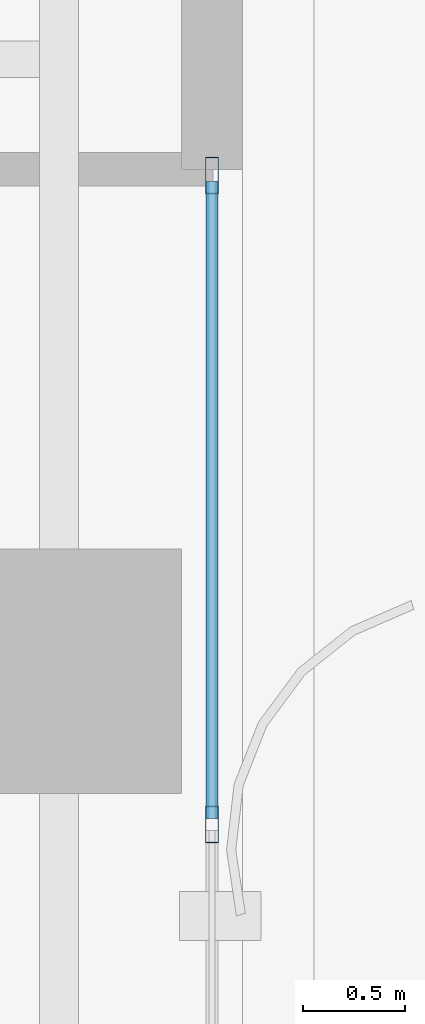
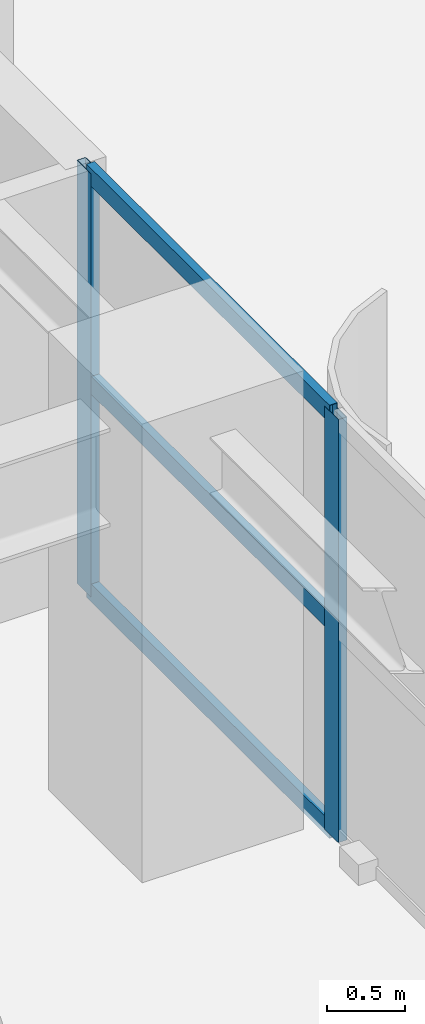
# One storey, part 9 of 21: 5 members, 1 element without a shape of its own.
"""IFC4 building model written with IfcOpenShell, lengths in metres."""

from ifc_helpers import new_model, si_unit, direction, frame, origin, origin_2d, place, context, subcontext, project, spatial, hollow_rectangle, extrude, source, transform, mapped, material, layer, layer_set, material_profile, profile_set, type_object, element, aggregate, save


model = new_model("IFC4")

# Units and contexts
model_context = context("Model", 3, precision=1e-05, world=origin(), true_north=direction((0.0, 1.0)))
body_context = subcontext(model_context, "Body", "Model", "MODEL_VIEW")
ifc_project = project(units=[si_unit("LENGTHUNIT", "METRE"), si_unit("AREAUNIT", "SQUARE_METRE"), si_unit("VOLUMEUNIT", "CUBIC_METRE"), si_unit("PLANEANGLEUNIT", "RADIAN"), si_unit("MASSUNIT", "GRAM", prefix="KILO")], contexts=[model_context])

# Site, building, storey
site_placement = place(None, origin())
site = spatial("IfcSite", under=ifc_project, at=site_placement, CompositionType="ELEMENT")
building_placement = place(site_placement, origin())
building = spatial("IfcBuilding", under=site, at=building_placement, Name="Khoralis Quay Care Tower", CompositionType="ELEMENT")
storey_placement = place(building_placement, frame((0.0, 0.0, 22.5)))
storey = spatial("IfcBuildingStorey", under=building, at=storey_placement, Name="L05", CompositionType="ELEMENT", Elevation=22.5)

# Curtain wall, members
ifc_material = material(Name="Pale anodised aluminium", Category="aluminium")
ifc_layer = layer(ifc_material, 0.179931640625)
ifc_layer_set = layer_set([ifc_layer], Name="Pale anodised aluminium")
curtain_wall_type = type_object("IfcCurtainWallType", Name="CW-SYS-Z1", PredefinedType="NOTDEFINED", material=ifc_layer_set)
curtain_wall_placement = place(storey_placement, origin())
curtain_wall = element("IfcCurtainWall", 1, at=curtain_wall_placement, inside=storey, type_object=curtain_wall_type, Name="L05 Unitised Curtain Wall CW-L05-P1-E5", PredefinedType="NOTDEFINED")
ifc_material_profile_1 = material_profile(ifc_material, hollow_rectangle(XDim=0.06494140625, YDim=0.179931640625, WallThickness=0.00390625, at=origin_2d()), Name="Pale anodised aluminium")
ifc_profile_set_1 = profile_set([ifc_material_profile_1], Name="Pale anodised aluminium")
member_type_1 = type_object("IfcMemberType", Name="CW-MUL-180", PredefinedType="MULLION", material=ifc_profile_set_1)
shared_shape_1 = source(origin(), body_context, "Body", "SweptSolid", [
    extrude(hollow_rectangle(XDim=0.06494140625, YDim=0.179931640625, WallThickness=0.00390625, at=origin_2d()), origin(), (0.0, 0.0, 1.0), 3.320068359375),
])
member_1_placement = place(storey_placement, frame((47.85009765625, 29.248046875, 0.0), z_axis=(0.0, 0.0, 1.0), x_axis=(-1.0, 0.0, 0.0)))
member_1 = element("IfcMember", 2, at=member_1_placement, type_object=member_type_1, Name="CW1 mullion 5", PredefinedType="MULLION", context=body_context, shape_type="MappedRepresentation", body=[
    mapped(shared_shape_1, transform((0.0, 0.0, 0.0), scale=1.0)),
])
member_2_placement = place(storey_placement, frame((47.85009765625, 32.429931640625, 0.0), z_axis=(0.0, 0.0, 1.0), x_axis=(-1.0, 0.0, 0.0)))
member_2 = element("IfcMember", 3, at=member_2_placement, type_object=member_type_1, Name="CW1 mullion 6", PredefinedType="MULLION", context=body_context, shape_type="MappedRepresentation", body=[
    mapped(shared_shape_1, transform((0.0, 0.0, 0.0), scale=1.0)),
])
ifc_material_profile_2 = material_profile(ifc_material, hollow_rectangle(XDim=0.06005859375, YDim=0.139892578125, WallThickness=0.00390625, at=origin_2d()), Name="Pale anodised aluminium")
ifc_profile_set_2 = profile_set([ifc_material_profile_2], Name="Pale anodised aluminium")
member_type_2 = type_object("IfcMemberType", Name="CW-TRN-140", PredefinedType="USERDEFINED", material=ifc_profile_set_2)
shared_shape_2 = source(origin(), body_context, "Body", "SweptSolid", [
    extrude(hollow_rectangle(XDim=0.06005859375, YDim=0.139892578125, WallThickness=0.00390625, at=origin_2d()), origin(), (0.0, 0.0, 1.0), 3.121826171875),
])
member_3_placement = place(storey_placement, frame((47.85009765625, 29.278076171875, 0.030029296875), z_axis=(0.0, 1.0, 0.0), x_axis=(-1.0, 0.0, 0.0)))
member_3 = element("IfcMember", 4, at=member_3_placement, type_object=member_type_2, Name="CW1 transom 5.1", ObjectType="TRANSOM", PredefinedType="USERDEFINED", context=body_context, shape_type="MappedRepresentation", body=[
    mapped(shared_shape_2, transform((0.0, 0.0, 0.0), scale=1.0)),
])
member_4_placement = place(storey_placement, frame((47.85009765625, 29.278076171875, 1.659912109375), z_axis=(0.0, 1.0, 0.0), x_axis=(-1.0, 0.0, 0.0)))
member_4 = element("IfcMember", 5, at=member_4_placement, type_object=member_type_2, Name="CW1 transom 5.2", ObjectType="TRANSOM", PredefinedType="USERDEFINED", context=body_context, shape_type="MappedRepresentation", body=[
    mapped(shared_shape_2, transform((0.0, 0.0, 0.0), scale=1.0)),
])
member_5_placement = place(storey_placement, frame((47.85009765625, 29.278076171875, 3.2900390625), z_axis=(0.0, 1.0, 0.0), x_axis=(-1.0, 0.0, 0.0)))
member_5 = element("IfcMember", 6, at=member_5_placement, type_object=member_type_2, Name="CW1 transom 5.3", ObjectType="TRANSOM", PredefinedType="USERDEFINED", context=body_context, shape_type="MappedRepresentation", body=[
    mapped(shared_shape_2, transform((0.0, 0.0, 0.0), scale=1.0)),
])
aggregate(curtain_wall, [member_1, member_2, member_3, member_4, member_5])

save(model, "model.ifc")
